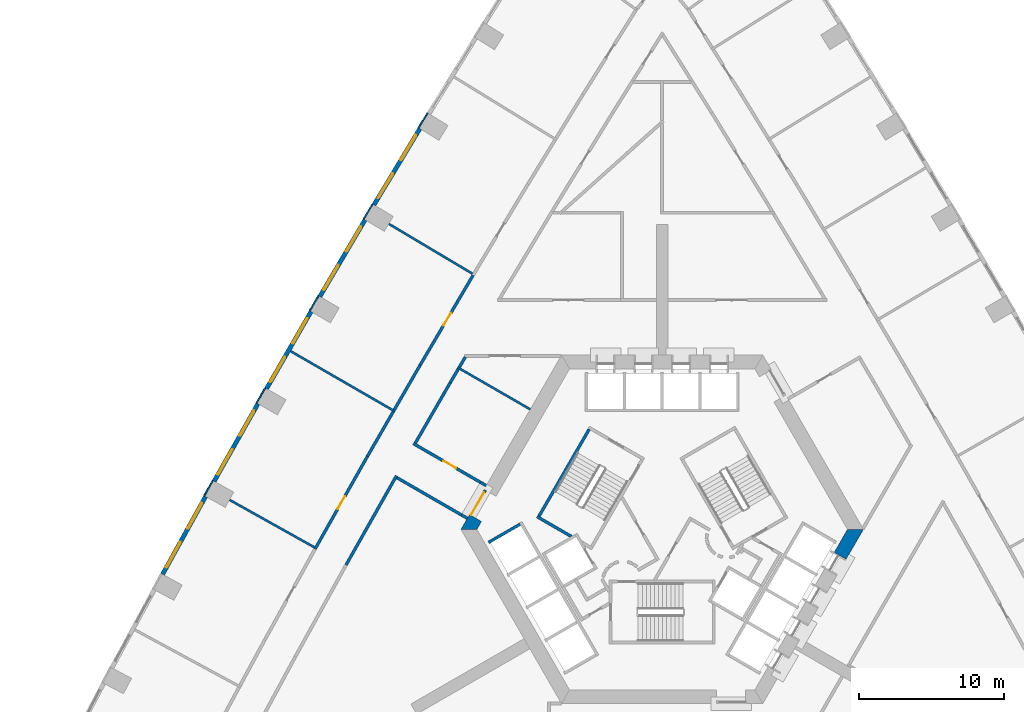
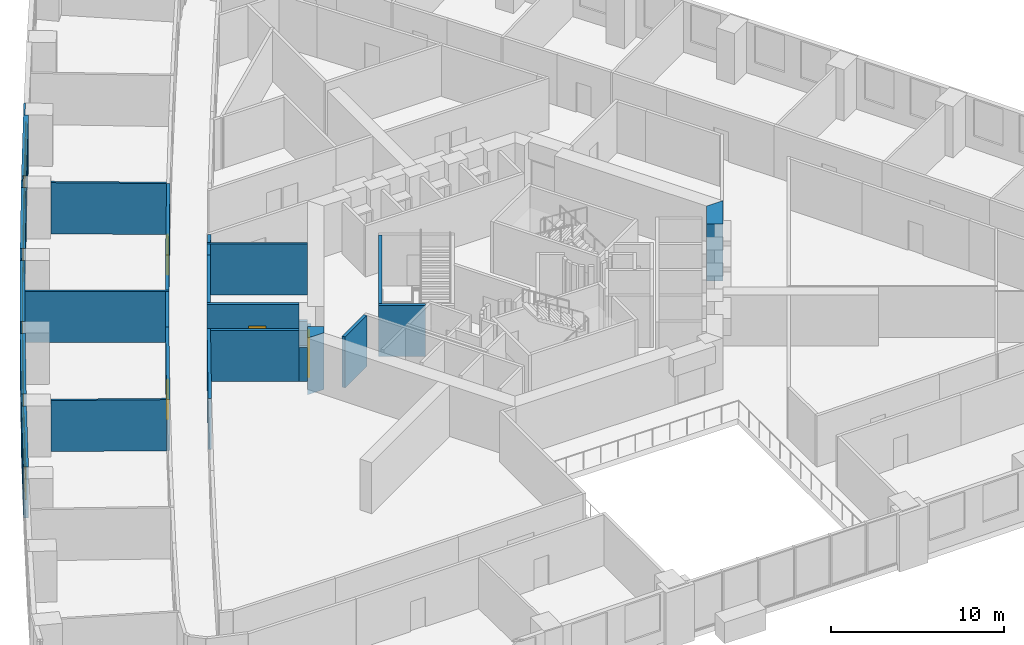
# One storey, part 7 of 15: 32 walls, 10 windows, 4 doors, 14 openings.
"""IFC4 building model written with IfcOpenShell, lengths in metres."""

from ifc_helpers import new_model, si_unit, direction, frame, frame_2d, origin, place, context, subcontext, project, spatial, polyline, rectangle, outline, extrude, material, layer, layer_set, type_object, element, fill, save


model = new_model("IFC4")

# Units and contexts
model_context = context("Model", 3, precision=1e-05, world=origin(), true_north=direction((0.0, 1.0)))
body_context = subcontext(model_context, "Body", "Model", "MODEL_VIEW")
ifc_project = project(units=[si_unit("LENGTHUNIT", "METRE"), si_unit("AREAUNIT", "SQUARE_METRE"), si_unit("VOLUMEUNIT", "CUBIC_METRE"), si_unit("PLANEANGLEUNIT", "RADIAN"), si_unit("MASSUNIT", "GRAM", prefix="KILO")], contexts=[model_context])

# Site, building, storey
site_placement = place(None, origin())
site = spatial("IfcSite", under=ifc_project, at=site_placement, CompositionType="ELEMENT")
building_placement = place(site_placement, origin())
building = spatial("IfcBuilding", under=site, at=building_placement, Name="Entoto Arch Interchange Tower", CompositionType="ELEMENT")
storey_placement = place(building_placement, frame((0.0, 0.0, 77.0)))
storey = spatial("IfcBuildingStorey", under=building, at=storey_placement, Name="L16", CompositionType="ELEMENT", Elevation=77.0)

# Wall, opening, door
ifc_material_1 = material(Name="Reinforced concrete C40/50", Category="concrete")
ifc_layer_1 = layer(ifc_material_1, 0.199951171875)
ifc_layer_set_1 = layer_set([ifc_layer_1], Name="Reinforced concrete C40/50")
wall_type_1 = type_object("IfcWallType", Name="CORE GAP INFILL WALL", PredefinedType="PARTITIONING", material=ifc_layer_set_1)
wall_1_placement = place(storey_placement, frame((-12.179931640625, 5.201904296875, 0.0), z_axis=(0.0, 0.0, 1.0), x_axis=(-0.50002537861, -0.866010750942, 0.0)))
wall_1 = element("IfcWall", 1, at=wall_1_placement, inside=storey, type_object=wall_type_1, Name="wall:L16:gap3", PredefinedType="PARTITIONING", context=body_context, shape_type="SweptSolid", body=[
    extrude(rectangle(XDim=2.0, YDim=0.199951171875, at=frame_2d((1.0, 0.0))), origin(), (0.0, 0.0, 1.0), 2.39990234375),
])
opening_1_placement = place(wall_1_placement, frame((0.18994140625, 0.0, 0.0)))
opening_1 = element("IfcOpeningElement", 2, at=opening_1_placement, cuts=wall_1, Name="Opening L16-D93", PredefinedType="OPENING", context=body_context, shape_type="SweptSolid", body=[
    extrude(rectangle(XDim=1.800048828125, YDim=2.10009765625, at=frame_2d((0.89990234375, 1.050048828125))), frame((0.0, 0.10986328125, 0.0), z_axis=(0.0, -1.0, 0.0), x_axis=(1.0, 0.0, 0.0)), (0.0, 0.0, 1.0), 0.219970703125),
])
ifc_material_2 = material(Name="Fire-rated Steel S235 door and frame", Category="steel")
door_type_1 = type_object("IfcDoorType", Name="DOOR FD-18 1800x2100", OperationType="DOUBLE_DOOR_SINGLE_SWING", PredefinedType="DOOR", material=ifc_material_2)
door_1_placement = place(opening_1_placement, origin())
door_1 = element("IfcDoor", 3, at=door_1_placement, inside=storey, type_object=door_type_1, Name="door:L16:gap3", OperationType="DOUBLE_DOOR_SINGLE_SWING", OverallHeight=2.10009765625, OverallWidth=1.800048828125, PredefinedType="DOOR", context=body_context, shape_type="SweptSolid", body=[
    extrude(rectangle(XDim=1.800048828125, YDim=2.10009765625, at=frame_2d((0.89990234375, 1.050048828125))), frame((0.0, 0.02490234375, 0.0), z_axis=(0.0, -1.0, 0.0), x_axis=(1.0, 0.0, 0.0)), (0.0, 0.0, 1.0), 0.050048828125),
])
fill(opening_1, door_1)

# Walls
ifc_material_3 = material(Name="Concrete C60/75", Category="concrete")
ifc_layer_2 = layer(ifc_material_3, 0.949951171875)
ifc_layer_set_2 = layer_set([ifc_layer_2], Name="Concrete C60/75")
wall_type_2 = type_object("IfcWallType", Name="Core wall 950 C60/75", PredefinedType="SHEAR", material=ifc_layer_set_2)
wall_2_placement = place(storey_placement, frame((0.0, 0.0, -0.39990234375)))
element("IfcWall", 4, at=wall_2_placement, inside=storey, type_object=wall_type_2, Name="Core wall NW L16", PredefinedType="SHEAR", context=body_context, shape_type="SweptSolid", body=[
    extrude(outline(polyline([(-12.444091796875, 3.044921875), (-13.26708984375, 3.52001953125), (-13.85595703125, 2.5), (-12.759033203125, 2.5), (-12.444091796875, 3.044921875)])), origin(), (0.0, 0.0, 1.0), 4.0),
])
wall_3_placement = place(storey_placement, frame((0.0, 0.0, -0.39990234375)))
element("IfcWall", 5, at=wall_3_placement, inside=storey, type_object=wall_type_2, Name="Core wall SE L16", PredefinedType="SHEAR", context=body_context, shape_type="SweptSolid", body=[
    extrude(outline(polyline([(11.843994140625, 0.9150390625), (12.6669921875, 0.43994140625), (13.85595703125, 2.5), (12.759033203125, 2.5), (11.843994140625, 0.9150390625)])), origin(), (0.0, 0.0, 1.0), 4.0),
])
ifc_material_4 = material(Name="Concrete C40/50", Category="concrete")
ifc_layer_3 = layer(ifc_material_4, 0.199951171875)
ifc_layer_set_3 = layer_set([ifc_layer_3], Name="Concrete C40/50")
wall_type_3 = type_object("IfcWallType", Name="LIFT SHAFT WALL 200", PredefinedType="STANDARD", material=ifc_layer_set_3)
wall_4_placement = place(storey_placement, frame((-9.7880859375, 2.85302734375, 0.0), z_axis=(0.0, 0.0, 1.0), x_axis=(-0.865998541277, -0.500046524342, 0.0)))
element("IfcWall", 6, at=wall_4_placement, inside=storey, type_object=wall_type_3, Name="Shaft wall SW3 cross 1", PredefinedType="STANDARD", context=body_context, shape_type="SweptSolid", body=[
    extrude(rectangle(XDim=2.499755859375, YDim=0.199951171875, at=frame_2d((1.25, 0.0))), origin(), (0.0, 0.0, 1.0), 3.60009765625),
])
ifc_material_5 = material(Name="Gypsum board partition on steel studs", Category="steel")
ifc_layer_4 = layer(ifc_material_5, 0.14990234375)
ifc_layer_set_4 = layer_set([ifc_layer_4], Name="Gypsum board partition on steel studs")
wall_type_4 = type_object("IfcWallType", Name="PARTITION 150", PredefinedType="PARTITIONING", material=ifc_layer_set_4)
wall_5_placement = place(storey_placement, frame((-14.091064453125, 13.655029296875, 0.0), z_axis=(0.0, 0.0, 1.0), x_axis=(0.866035778077, -0.499982030767, 0.0)))
element("IfcWall", 7, at=wall_5_placement, inside=storey, type_object=wall_type_4, Name="wall:L16:p090", PredefinedType="PARTITIONING", context=body_context, shape_type="SweptSolid", body=[
    extrude(rectangle(XDim=5.780517578125, YDim=0.14990234375, at=frame_2d((2.89013671875, 0.0))), origin(), (0.0, 0.0, 1.0), 3.60009765625),
])
wall_6_placement = place(storey_placement, frame((-13.072021484375, 20.110107421875, 0.0), z_axis=(0.0, 0.0, 1.0), x_axis=(-0.859168554094, 0.511692676961, 0.0)))
element("IfcWall", 8, at=wall_6_placement, inside=storey, type_object=wall_type_4, Name="wall:L16:p144", PredefinedType="PARTITIONING", context=body_context, shape_type="SweptSolid", body=[
    extrude(rectangle(XDim=6.6796875, YDim=0.14990234375, at=frame_2d((3.33984375, 0.0))), origin(), (0.0, 0.0, 1.0), 3.60009765625),
])
wall_7_placement = place(storey_placement, frame((-18.39599609375, 10.618896484375, 0.0), z_axis=(0.0, 0.0, 1.0), x_axis=(-0.865966132161, 0.500102647413, 0.0)))
element("IfcWall", 9, at=wall_7_placement, inside=storey, type_object=wall_type_4, Name="wall:L16:p145", PredefinedType="PARTITIONING", context=body_context, shape_type="SweptSolid", body=[
    extrude(rectangle(XDim=8.300537109375, YDim=0.14990234375, at=frame_2d((4.150390625, 0.0))), origin(), (0.0, 0.0, 1.0), 3.60009765625),
])
wall_8_placement = place(storey_placement, frame((-23.950927734375, 1.26611328125, 0.0), z_axis=(0.0, 0.0, 1.0), x_axis=(-0.872786908026, 0.488101437385, 0.0)))
element("IfcWall", 10, at=wall_8_placement, inside=storey, type_object=wall_type_4, Name="wall:L16:p146", PredefinedType="PARTITIONING", context=body_context, shape_type="SweptSolid", body=[
    extrude(rectangle(XDim=6.680908203125, YDim=0.14990234375, at=frame_2d((3.34033203125, 0.0))), origin(), (0.0, 0.0, 1.0), 3.60009765625),
])
ifc_layer_5 = layer(ifc_material_5, 0.199951171875)
ifc_layer_set_5 = layer_set([ifc_layer_5], Name="Gypsum board partition on steel studs")
wall_type_5 = type_object("IfcWallType", Name="PARTITION 200", PredefinedType="PARTITIONING", material=ifc_layer_set_5)
wall_9_placement = place(storey_placement, frame((-14.0419921875, 13.541015625, 0.0), z_axis=(0.0, 0.0, 1.0), x_axis=(-0.507733830316, -0.861513991501, 0.0)))
element("IfcWall", 11, at=wall_9_placement, inside=storey, type_object=wall_type_5, Name="wall:L16:p001", PredefinedType="PARTITIONING", context=body_context, shape_type="SweptSolid", body=[
    extrude(rectangle(XDim=1.091064453125, YDim=0.199951171875, at=frame_2d((0.54541015625, 0.0))), origin(), (0.0, 0.0, 1.0), 3.60009765625),
])
wall_10_placement = place(storey_placement, frame((-14.595947265625, 12.60107421875, 0.0), z_axis=(0.0, 0.0, 1.0), x_axis=(-0.500017431331, -0.866015339567, 0.0)))
element("IfcWall", 12, at=wall_10_placement, inside=storey, type_object=wall_type_5, Name="wall:L16:p002", PredefinedType="PARTITIONING", context=body_context, shape_type="SweptSolid", body=[
    extrude(rectangle(XDim=4.800048828125, YDim=0.199951171875, at=frame_2d((2.39990234375, 0.0))), origin(), (0.0, 0.0, 1.0), 3.60009765625),
])

# Wall, opening, door
wall_11_placement = place(storey_placement, frame((-17.133056640625, 8.407958984375, 0.0), z_axis=(0.0, 0.0, 1.0), x_axis=(0.866005140137, -0.500035096025, 0.0)))
wall_11 = element("IfcWall", 13, at=wall_11_placement, inside=storey, type_object=wall_type_5, Name="wall:L16:p003", PredefinedType="PARTITIONING", context=body_context, shape_type="SweptSolid", body=[
    extrude(rectangle(XDim=5.3173828125, YDim=0.199951171875, at=frame_2d((2.65869140625, 0.0))), origin(), (0.0, 0.0, 1.0), 3.60009765625),
])
opening_2_placement = place(wall_11_placement, frame((2.39599609375, 0.0, 0.0)))
opening_2 = element("IfcOpeningElement", 14, at=opening_2_placement, cuts=wall_11, Name="Opening L16-D30", PredefinedType="OPENING", context=body_context, shape_type="SweptSolid", body=[
    extrude(rectangle(XDim=1.0, YDim=2.10009765625, at=frame_2d((0.5, 1.050048828125))), frame((0.0, 0.10986328125, 0.0), z_axis=(0.0, -1.0, 0.0), x_axis=(1.0, 0.0, 0.0)), (0.0, 0.0, 1.0), 0.219970703125),
])
ifc_material_6 = material(Name="Timber door leaf in Steel S235 frame", Category="steel")
door_type_2 = type_object("IfcDoorType", Name="DOOR DS-10 1000x2100", OperationType="SINGLE_SWING_LEFT", PredefinedType="DOOR", material=ifc_material_6)
door_2_placement = place(opening_2_placement, origin())
door_2 = element("IfcDoor", 15, at=door_2_placement, inside=storey, type_object=door_type_2, Name="door:L16:30", OperationType="SINGLE_SWING_LEFT", OverallHeight=2.10009765625, OverallWidth=1.0, PredefinedType="DOOR", context=body_context, shape_type="SweptSolid", body=[
    extrude(rectangle(XDim=1.0, YDim=2.10009765625, at=frame_2d((0.5, 1.050048828125))), frame((0.0, 0.02490234375, 0.0), z_axis=(0.0, -1.0, 0.0), x_axis=(1.0, 0.0, 0.0)), (0.0, 0.0, 1.0), 0.050048828125),
])
fill(opening_2, door_2)

# Walls
wall_12_placement = place(storey_placement, frame((-13.556884765625, 14.364013671875, 0.0), z_axis=(0.0, 0.0, 1.0), x_axis=(-0.507840899418, -0.861450881292, 0.0)))
element("IfcWall", 16, at=wall_12_placement, inside=storey, type_object=wall_type_5, Name="wall:L16:p004", PredefinedType="PARTITIONING", context=body_context, shape_type="SweptSolid", body=[
    extrude(rectangle(XDim=0.8056640625, YDim=0.199951171875, at=frame_2d((0.40283203125, 0.0))), origin(), (0.0, 0.0, 1.0), 3.60009765625),
])
wall_13_placement = place(storey_placement, frame((-13.4169921875, 3.260009765625, 0.0), z_axis=(0.0, 0.0, 1.0), x_axis=(-0.865929261247, 0.500166486798, 0.0)))
element("IfcWall", 17, at=wall_13_placement, inside=storey, type_object=wall_type_5, Name="wall:L16:p029", PredefinedType="PARTITIONING", context=body_context, shape_type="SweptSolid", body=[
    extrude(rectangle(XDim=0.475830078125, YDim=0.199951171875, at=frame_2d((0.23779296875, 0.0))), origin(), (0.0, 0.0, 1.0), 2.39990234375),
])
wall_14_placement = place(storey_placement, frame((-18.294921875, 6.19189453125, 0.0), z_axis=(0.0, 0.0, 1.0), x_axis=(-0.492193980341, -0.870485545954, 0.0)))
element("IfcWall", 18, at=wall_14_placement, inside=storey, type_object=wall_type_5, Name="wall:L16:p030", PredefinedType="PARTITIONING", context=body_context, shape_type="SweptSolid", body=[
    extrude(rectangle(XDim=7.060302734375, YDim=0.199951171875, at=frame_2d((3.5302734375, 0.0))), origin(), (0.0, 0.0, 1.0), 3.60009765625),
])
wall_15_placement = place(storey_placement, frame((-18.445068359375, 10.73388671875, 0.0), z_axis=(0.0, 0.0, 1.0), x_axis=(0.499900903336, 0.866082609711, 0.0)))
element("IfcWall", 19, at=wall_15_placement, inside=storey, type_object=wall_type_5, Name="wall:L16:p064", PredefinedType="PARTITIONING", context=body_context, shape_type="SweptSolid", body=[
    extrude(rectangle(XDim=3.552978515625, YDim=0.199951171875, at=frame_2d((1.7763671875, 0.0))), origin(), (0.0, 0.0, 1.0), 3.60009765625),
])

# Wall, opening, door
wall_16_placement = place(storey_placement, frame((-16.6689453125, 13.81103515625, 0.0), z_axis=(0.0, 0.0, 1.0), x_axis=(0.507777955495, 0.861487984776, 0.0)))
wall_16 = element("IfcWall", 20, at=wall_16_placement, inside=storey, type_object=wall_type_5, Name="wall:L16:p065", PredefinedType="PARTITIONING", context=body_context, shape_type="SweptSolid", body=[
    extrude(rectangle(XDim=7.178466796875, YDim=0.199951171875, at=frame_2d((3.58935546875, 0.0))), origin(), (0.0, 0.0, 1.0), 3.60009765625),
])
opening_3_placement = place(wall_16_placement, frame((3.1640625, 0.0, 0.0)))
opening_3 = element("IfcOpeningElement", 21, at=opening_3_placement, cuts=wall_16, Name="Opening L16-D14", PredefinedType="OPENING", context=body_context, shape_type="SweptSolid", body=[
    extrude(rectangle(XDim=1.0, YDim=2.10009765625, at=frame_2d((0.5, 1.050048828125))), frame((0.0, 0.10986328125, 0.0), z_axis=(0.0, -1.0, 0.0), x_axis=(1.0, 0.0, 0.0)), (0.0, 0.0, 1.0), 0.219970703125),
])
door_3_placement = place(opening_3_placement, origin())
door_3 = element("IfcDoor", 22, at=door_3_placement, inside=storey, type_object=door_type_2, Name="door:L16:14", OperationType="SINGLE_SWING_LEFT", OverallHeight=2.10009765625, OverallWidth=1.0, PredefinedType="DOOR", context=body_context, shape_type="SweptSolid", body=[
    extrude(rectangle(XDim=1.0, YDim=2.10009765625, at=frame_2d((0.5, 1.050048828125))), frame((0.0, 0.02490234375, 0.0), z_axis=(0.0, -1.0, 0.0), x_axis=(1.0, 0.0, 0.0)), (0.0, 0.0, 1.0), 0.050048828125),
])
fill(opening_3, door_3)

wall_17_placement = place(storey_placement, frame((-23.90087890625, 1.152099609375, 0.0), z_axis=(0.0, 0.0, 1.0), x_axis=(0.492063845089, 0.870559114797, 0.0)))
wall_17 = element("IfcWall", 23, at=wall_17_placement, inside=storey, type_object=wall_type_5, Name="wall:L16:p066", PredefinedType="PARTITIONING", context=body_context, shape_type="SweptSolid", body=[
    extrude(rectangle(XDim=7.326171875, YDim=0.199951171875, at=frame_2d((3.6630859375, 0.0))), origin(), (0.0, 0.0, 1.0), 3.60009765625),
])
opening_4_placement = place(wall_17_placement, frame((3.1630859375, 0.0, 0.0)))
opening_4 = element("IfcOpeningElement", 24, at=opening_4_placement, cuts=wall_17, Name="Opening L16-D15", PredefinedType="OPENING", context=body_context, shape_type="SweptSolid", body=[
    extrude(rectangle(XDim=1.0, YDim=2.10009765625, at=frame_2d((0.5, 1.050048828125))), frame((0.0, 0.10986328125, 0.0), z_axis=(0.0, -1.0, 0.0), x_axis=(1.0, 0.0, 0.0)), (0.0, 0.0, 1.0), 0.219970703125),
])
door_4_placement = place(opening_4_placement, origin())
door_4 = element("IfcDoor", 25, at=door_4_placement, inside=storey, type_object=door_type_2, Name="door:L16:15", OperationType="SINGLE_SWING_LEFT", OverallHeight=2.10009765625, OverallWidth=1.0, PredefinedType="DOOR", context=body_context, shape_type="SweptSolid", body=[
    extrude(rectangle(XDim=1.0, YDim=2.10009765625, at=frame_2d((0.5, 1.050048828125))), frame((0.0, 0.02490234375, 0.0), z_axis=(0.0, -1.0, 0.0), x_axis=(1.0, 0.0, 0.0)), (0.0, 0.0, 1.0), 0.050048828125),
])
fill(opening_4, door_4)

# Walls
wall_18_placement = place(storey_placement, frame((-20.2958984375, 7.530029296875, 0.0), z_axis=(0.0, 0.0, 1.0), x_axis=(0.500236350306, 0.865888903863, 0.0)))
element("IfcWall", 26, at=wall_18_placement, inside=storey, type_object=wall_type_5, Name="wall:L16:p067", PredefinedType="PARTITIONING", context=body_context, shape_type="SweptSolid", body=[
    extrude(rectangle(XDim=3.550048828125, YDim=0.199951171875, at=frame_2d((1.77490234375, 0.0))), origin(), (0.0, 0.0, 1.0), 3.60009765625),
])
wall_19_placement = place(storey_placement, frame((-12.528076171875, 5.7490234375, 0.0), z_axis=(0.0, 0.0, 1.0), x_axis=(0.866305462299, -0.499514610387, 0.0)))
element("IfcWall", 27, at=wall_19_placement, inside=storey, type_object=wall_type_5, Name="wall:L16:p003", PredefinedType="PARTITIONING", context=body_context, shape_type="SweptSolid", body=[
    extrude(rectangle(XDim=0.474609375, YDim=0.199951171875, at=frame_2d((0.2373046875, 0.0))), origin(), (0.0, 0.0, 1.0), 2.39990234375),
])
wall_20_placement = place(storey_placement, frame((-13.8291015625, 3.498046875, 0.0), z_axis=(0.0, 0.0, 1.0), x_axis=(-0.866040105854, 0.499974534403, 0.0)))
element("IfcWall", 28, at=wall_20_placement, inside=storey, type_object=wall_type_5, Name="wall:L16:p029", PredefinedType="PARTITIONING", context=body_context, shape_type="SweptSolid", body=[
    extrude(rectangle(XDim=5.114013671875, YDim=0.199951171875, at=frame_2d((2.55712890625, 0.0))), origin(), (0.0, 0.0, 1.0), 3.60009765625),
])
ifc_layer_6 = layer(ifc_material_4, 0.199951171875)
ifc_layer_set_6 = layer_set([ifc_layer_6], Name="Concrete C40/50")
wall_type_6 = type_object("IfcWallType", Name="STAIR ENCLOSURE WALL 200", PredefinedType="STANDARD", material=ifc_layer_set_6)
wall_21_placement = place(storey_placement, frame((-6.25, 2.010009765625, 0.0), z_axis=(0.0, 0.0, 1.0), x_axis=(-0.86611865017, 0.499838457731, 0.0)))
element("IfcWall", 29, at=wall_21_placement, inside=storey, type_object=wall_type_6, Name="Stair wall ST-NW far", PredefinedType="STANDARD", context=body_context, shape_type="SweptSolid", body=[
    extrude(rectangle(XDim=2.73291015625, YDim=0.199951171875, at=frame_2d((1.366455078125, 0.0))), origin(), (0.0, 0.0, 1.0), 3.60009765625),
])
wall_22_placement = place(storey_placement, frame((-5.030029296875, 9.387939453125, 0.0), z_axis=(0.0, 0.0, 1.0), x_axis=(-0.499978703459, -0.866037698999, 0.0)))
element("IfcWall", 30, at=wall_22_placement, inside=storey, type_object=wall_type_6, Name="Stair wall ST-NW back", PredefinedType="STANDARD", context=body_context, shape_type="SweptSolid", body=[
    extrude(rectangle(XDim=6.900146484375, YDim=0.199951171875, at=frame_2d((3.4501953125, 0.0))), origin(), (0.0, 0.0, 1.0), 3.60009765625),
])

# Wall, openings, windows
ifc_material_7 = material(Name="Welded tuff (ignimbrite) cladding, warm buff", Category="masonry")
ifc_layer_7 = layer(ifc_material_7, 0.300048828125)
ifc_layer_set_7 = layer_set([ifc_layer_7], Name="Welded tuff (ignimbrite) cladding, warm buff")
wall_type_7 = type_object("IfcWallType", Name="STONE INFILL WALL 300", PredefinedType="STANDARD", material=ifc_layer_set_7)
wall_23_placement = place(storey_placement, frame((-16.68994140625, 30.096923828125, 0.0), z_axis=(0.0, 0.0, 1.0), x_axis=(-0.515690089348, -0.856775193238, 0.0)))
wall_23 = element("IfcWall", 31, at=wall_23_placement, inside=storey, type_object=wall_type_7, Name="Facade wall NW-03 L16", PredefinedType="STANDARD", context=body_context, shape_type="SweptSolid", body=[
    extrude(rectangle(XDim=6.1298828125, YDim=0.300048828125, at=frame_2d((3.06494140625, 0.0))), origin(), (0.0, 0.0, 1.0), 3.60009765625),
])
opening_5_placement = place(wall_23_placement, frame((0.531982421875, 0.0, 0.89990234375)))
opening_5 = element("IfcOpeningElement", 32, at=opening_5_placement, cuts=wall_23, Name="Opening WO-C", PredefinedType="OPENING", context=body_context, shape_type="SweptSolid", body=[
    extrude(rectangle(XDim=2.0, YDim=2.60009765625, at=frame_2d((1.0, 1.300048828125))), frame((0.0, 0.16015625, 0.0), z_axis=(0.0, -1.0, 0.0), x_axis=(1.0, 0.0, 0.0)), (0.0, 0.0, 1.0), 0.320068359375),
])
opening_6_placement = place(wall_23_placement, frame((3.596923828125, 0.0, 0.89990234375)))
opening_6 = element("IfcOpeningElement", 33, at=opening_6_placement, cuts=wall_23, Name="Opening WO-C", PredefinedType="OPENING", context=body_context, shape_type="SweptSolid", body=[
    extrude(rectangle(XDim=2.0, YDim=2.60009765625, at=frame_2d((1.0, 1.300048828125))), frame((0.0, 0.16015625, 0.0), z_axis=(0.0, -1.0, 0.0), x_axis=(1.0, 0.0, 0.0)), (0.0, 0.0, 1.0), 0.320068359375),
])
ifc_material_8 = material(Name="Clear glass, low-e double glazed", Category="glass")
window_type = type_object("IfcWindowType", Name="WINDOW WO-C 2000x2600", PartitioningType="DOUBLE_PANEL_VERTICAL", PredefinedType="WINDOW", material=ifc_material_8)
window_1_placement = place(opening_5_placement, origin())
window_1 = element("IfcWindow", 34, at=window_1_placement, inside=storey, type_object=window_type, Name="Window WO-C NW-03 L16", OverallHeight=2.60009765625, OverallWidth=2.0, PartitioningType="SINGLE_PANEL", PredefinedType="WINDOW", context=body_context, shape_type="SweptSolid", body=[
    extrude(rectangle(XDim=2.0, YDim=2.60009765625, at=frame_2d((1.0, 1.300048828125))), frame((0.0, 0.030029296875, 0.0), z_axis=(0.0, -1.0, 0.0), x_axis=(1.0, 0.0, 0.0)), (0.0, 0.0, 1.0), 0.06005859375),
])
fill(opening_5, window_1)
window_2_placement = place(opening_6_placement, origin())
window_2 = element("IfcWindow", 35, at=window_2_placement, inside=storey, type_object=window_type, Name="Window WO-C NW-03 L16", OverallHeight=2.60009765625, OverallWidth=2.0, PartitioningType="SINGLE_PANEL", PredefinedType="WINDOW", context=body_context, shape_type="SweptSolid", body=[
    extrude(rectangle(XDim=2.0, YDim=2.60009765625, at=frame_2d((1.0, 1.300048828125))), frame((0.0, 0.030029296875, 0.0), z_axis=(0.0, -1.0, 0.0), x_axis=(1.0, 0.0, 0.0)), (0.0, 0.0, 1.0), 0.06005859375),
])
fill(opening_6, window_2)

wall_24_placement = place(storey_placement, frame((-20.464111328125, 23.81591796875, 0.0), z_axis=(0.0, 0.0, 1.0), x_axis=(-0.507716058644, -0.861524465001, 0.0)))
wall_24 = element("IfcWall", 36, at=wall_24_placement, inside=storey, type_object=wall_type_7, Name="Facade wall NW-04 L16", PredefinedType="STANDARD", context=body_context, shape_type="SweptSolid", body=[
    extrude(rectangle(XDim=6.130859375, YDim=0.300048828125, at=frame_2d((3.0654296875, 0.0))), origin(), (0.0, 0.0, 1.0), 3.60009765625),
])
opening_7_placement = place(wall_24_placement, frame((0.532958984375, 0.0, 0.89990234375)))
opening_7 = element("IfcOpeningElement", 37, at=opening_7_placement, cuts=wall_24, Name="Opening WO-C", PredefinedType="OPENING", context=body_context, shape_type="SweptSolid", body=[
    extrude(rectangle(XDim=2.0, YDim=2.60009765625, at=frame_2d((1.0, 1.300048828125))), frame((0.0, 0.16015625, 0.0), z_axis=(0.0, -1.0, 0.0), x_axis=(1.0, 0.0, 0.0)), (0.0, 0.0, 1.0), 0.320068359375),
])
opening_8_placement = place(wall_24_placement, frame((3.597900390625, 0.0, 0.89990234375)))
opening_8 = element("IfcOpeningElement", 38, at=opening_8_placement, cuts=wall_24, Name="Opening WO-C", PredefinedType="OPENING", context=body_context, shape_type="SweptSolid", body=[
    extrude(rectangle(XDim=2.0, YDim=2.60009765625, at=frame_2d((1.0, 1.300048828125))), frame((0.0, 0.16015625, 0.0), z_axis=(0.0, -1.0, 0.0), x_axis=(1.0, 0.0, 0.0)), (0.0, 0.0, 1.0), 0.320068359375),
])
window_3_placement = place(opening_7_placement, origin())
window_3 = element("IfcWindow", 39, at=window_3_placement, inside=storey, type_object=window_type, Name="Window WO-C NW-04 L16", OverallHeight=2.60009765625, OverallWidth=2.0, PartitioningType="SINGLE_PANEL", PredefinedType="WINDOW", context=body_context, shape_type="SweptSolid", body=[
    extrude(rectangle(XDim=2.0, YDim=2.60009765625, at=frame_2d((1.0, 1.300048828125))), frame((0.0, 0.030029296875, 0.0), z_axis=(0.0, -1.0, 0.0), x_axis=(1.0, 0.0, 0.0)), (0.0, 0.0, 1.0), 0.06005859375),
])
fill(opening_7, window_3)
window_4_placement = place(opening_8_placement, origin())
window_4 = element("IfcWindow", 40, at=window_4_placement, inside=storey, type_object=window_type, Name="Window WO-C NW-04 L16", OverallHeight=2.60009765625, OverallWidth=2.0, PartitioningType="SINGLE_PANEL", PredefinedType="WINDOW", context=body_context, shape_type="SweptSolid", body=[
    extrude(rectangle(XDim=2.0, YDim=2.60009765625, at=frame_2d((1.0, 1.300048828125))), frame((0.0, 0.030029296875, 0.0), z_axis=(0.0, -1.0, 0.0), x_axis=(1.0, 0.0, 0.0)), (0.0, 0.0, 1.0), 0.06005859375),
])
fill(opening_8, window_4)

wall_25_placement = place(storey_placement, frame((-24.180908203125, 17.5, 0.0), z_axis=(0.0, 0.0, 1.0), x_axis=(-0.499998239139, -0.866026420416, 0.0)))
wall_25 = element("IfcWall", 41, at=wall_25_placement, inside=storey, type_object=wall_type_7, Name="Facade wall NW-05 L16", PredefinedType="STANDARD", context=body_context, shape_type="SweptSolid", body=[
    extrude(rectangle(XDim=6.13037109375, YDim=0.300048828125, at=frame_2d((3.065185546875, 0.0))), origin(), (0.0, 0.0, 1.0), 3.60009765625),
])
opening_9_placement = place(wall_25_placement, frame((0.532958984375, 0.0, 0.89990234375)))
opening_9 = element("IfcOpeningElement", 42, at=opening_9_placement, cuts=wall_25, Name="Opening WO-C", PredefinedType="OPENING", context=body_context, shape_type="SweptSolid", body=[
    extrude(rectangle(XDim=2.0, YDim=2.60009765625, at=frame_2d((1.0, 1.300048828125))), frame((0.0, 0.16015625, 0.0), z_axis=(0.0, -1.0, 0.0), x_axis=(1.0, 0.0, 0.0)), (0.0, 0.0, 1.0), 0.320068359375),
])
opening_10_placement = place(wall_25_placement, frame((3.597900390625, 0.0, 0.89990234375)))
opening_10 = element("IfcOpeningElement", 43, at=opening_10_placement, cuts=wall_25, Name="Opening WO-C", PredefinedType="OPENING", context=body_context, shape_type="SweptSolid", body=[
    extrude(rectangle(XDim=2.0, YDim=2.60009765625, at=frame_2d((1.0, 1.300048828125))), frame((0.0, 0.16015625, 0.0), z_axis=(0.0, -1.0, 0.0), x_axis=(1.0, 0.0, 0.0)), (0.0, 0.0, 1.0), 0.320068359375),
])
window_5_placement = place(opening_9_placement, origin())
window_5 = element("IfcWindow", 44, at=window_5_placement, inside=storey, type_object=window_type, Name="Window WO-C NW-05 L16", OverallHeight=2.60009765625, OverallWidth=2.0, PartitioningType="SINGLE_PANEL", PredefinedType="WINDOW", context=body_context, shape_type="SweptSolid", body=[
    extrude(rectangle(XDim=2.0, YDim=2.60009765625, at=frame_2d((1.0, 1.300048828125))), frame((0.0, 0.030029296875, 0.0), z_axis=(0.0, -1.0, 0.0), x_axis=(1.0, 0.0, 0.0)), (0.0, 0.0, 1.0), 0.06005859375),
])
fill(opening_9, window_5)
window_6_placement = place(opening_10_placement, origin())
window_6 = element("IfcWindow", 45, at=window_6_placement, inside=storey, type_object=window_type, Name="Window WO-C NW-05 L16", OverallHeight=2.60009765625, OverallWidth=2.0, PartitioningType="SINGLE_PANEL", PredefinedType="WINDOW", context=body_context, shape_type="SweptSolid", body=[
    extrude(rectangle(XDim=2.0, YDim=2.60009765625, at=frame_2d((1.0, 1.300048828125))), frame((0.0, 0.030029296875, 0.0), z_axis=(0.0, -1.0, 0.0), x_axis=(1.0, 0.0, 0.0)), (0.0, 0.0, 1.0), 0.06005859375),
])
fill(opening_10, window_6)

wall_26_placement = place(storey_placement, frame((-27.840087890625, 11.15087890625, 0.0), z_axis=(0.0, 0.0, 1.0), x_axis=(-0.492097935349, -0.870539845168, 0.0)))
wall_26 = element("IfcWall", 46, at=wall_26_placement, inside=storey, type_object=wall_type_7, Name="Facade wall NW-06 L16", PredefinedType="STANDARD", context=body_context, shape_type="SweptSolid", body=[
    extrude(rectangle(XDim=6.130615234375, YDim=0.300048828125, at=frame_2d((3.0654296875, 0.0))), origin(), (0.0, 0.0, 1.0), 3.60009765625),
])
opening_11_placement = place(wall_26_placement, frame((0.532958984375, 0.0, 0.89990234375)))
opening_11 = element("IfcOpeningElement", 47, at=opening_11_placement, cuts=wall_26, Name="Opening WO-C", PredefinedType="OPENING", context=body_context, shape_type="SweptSolid", body=[
    extrude(rectangle(XDim=2.0, YDim=2.60009765625, at=frame_2d((1.0, 1.300048828125))), frame((0.0, 0.16015625, 0.0), z_axis=(0.0, -1.0, 0.0), x_axis=(1.0, 0.0, 0.0)), (0.0, 0.0, 1.0), 0.320068359375),
])
opening_12_placement = place(wall_26_placement, frame((3.597900390625, 0.0, 0.89990234375)))
opening_12 = element("IfcOpeningElement", 48, at=opening_12_placement, cuts=wall_26, Name="Opening WO-C", PredefinedType="OPENING", context=body_context, shape_type="SweptSolid", body=[
    extrude(rectangle(XDim=2.0, YDim=2.60009765625, at=frame_2d((1.0, 1.300048828125))), frame((0.0, 0.16015625, 0.0), z_axis=(0.0, -1.0, 0.0), x_axis=(1.0, 0.0, 0.0)), (0.0, 0.0, 1.0), 0.320068359375),
])
window_7_placement = place(opening_11_placement, origin())
window_7 = element("IfcWindow", 49, at=window_7_placement, inside=storey, type_object=window_type, Name="Window WO-C NW-06 L16", OverallHeight=2.60009765625, OverallWidth=2.0, PartitioningType="SINGLE_PANEL", PredefinedType="WINDOW", context=body_context, shape_type="SweptSolid", body=[
    extrude(rectangle(XDim=2.0, YDim=2.60009765625, at=frame_2d((1.0, 1.300048828125))), frame((0.0, 0.030029296875, 0.0), z_axis=(0.0, -1.0, 0.0), x_axis=(1.0, 0.0, 0.0)), (0.0, 0.0, 1.0), 0.06005859375),
])
fill(opening_11, window_7)
window_8_placement = place(opening_12_placement, origin())
window_8 = element("IfcWindow", 50, at=window_8_placement, inside=storey, type_object=window_type, Name="Window WO-C NW-06 L16", OverallHeight=2.60009765625, OverallWidth=2.0, PartitioningType="SINGLE_PANEL", PredefinedType="WINDOW", context=body_context, shape_type="SweptSolid", body=[
    extrude(rectangle(XDim=2.0, YDim=2.60009765625, at=frame_2d((1.0, 1.300048828125))), frame((0.0, 0.030029296875, 0.0), z_axis=(0.0, -1.0, 0.0), x_axis=(1.0, 0.0, 0.0)), (0.0, 0.0, 1.0), 0.06005859375),
])
fill(opening_12, window_8)

wall_27_placement = place(storey_placement, frame((-31.44189453125, 4.76904296875, 0.0), z_axis=(0.0, 0.0, 1.0), x_axis=(-0.484025698618, -0.875053782963, 0.0)))
wall_27 = element("IfcWall", 51, at=wall_27_placement, inside=storey, type_object=wall_type_7, Name="Facade wall NW-07 L16", PredefinedType="STANDARD", context=body_context, shape_type="SweptSolid", body=[
    extrude(rectangle(XDim=6.1298828125, YDim=0.300048828125, at=frame_2d((3.06494140625, 0.0))), origin(), (0.0, 0.0, 1.0), 3.60009765625),
])
opening_13_placement = place(wall_27_placement, frame((0.531982421875, 0.0, 0.89990234375)))
opening_13 = element("IfcOpeningElement", 52, at=opening_13_placement, cuts=wall_27, Name="Opening WO-C", PredefinedType="OPENING", context=body_context, shape_type="SweptSolid", body=[
    extrude(rectangle(XDim=2.0, YDim=2.60009765625, at=frame_2d((1.0, 1.300048828125))), frame((0.0, 0.16015625, 0.0), z_axis=(0.0, -1.0, 0.0), x_axis=(1.0, 0.0, 0.0)), (0.0, 0.0, 1.0), 0.320068359375),
])
opening_14_placement = place(wall_27_placement, frame((3.596923828125, 0.0, 0.89990234375)))
opening_14 = element("IfcOpeningElement", 53, at=opening_14_placement, cuts=wall_27, Name="Opening WO-C", PredefinedType="OPENING", context=body_context, shape_type="SweptSolid", body=[
    extrude(rectangle(XDim=2.0, YDim=2.60009765625, at=frame_2d((1.0, 1.300048828125))), frame((0.0, 0.16015625, 0.0), z_axis=(0.0, -1.0, 0.0), x_axis=(1.0, 0.0, 0.0)), (0.0, 0.0, 1.0), 0.320068359375),
])
window_9_placement = place(opening_13_placement, origin())
window_9 = element("IfcWindow", 54, at=window_9_placement, inside=storey, type_object=window_type, Name="Window WO-C NW-07 L16", OverallHeight=2.60009765625, OverallWidth=2.0, PartitioningType="SINGLE_PANEL", PredefinedType="WINDOW", context=body_context, shape_type="SweptSolid", body=[
    extrude(rectangle(XDim=2.0, YDim=2.60009765625, at=frame_2d((1.0, 1.300048828125))), frame((0.0, 0.030029296875, 0.0), z_axis=(0.0, -1.0, 0.0), x_axis=(1.0, 0.0, 0.0)), (0.0, 0.0, 1.0), 0.06005859375),
])
fill(opening_13, window_9)
window_10_placement = place(opening_14_placement, origin())
window_10 = element("IfcWindow", 55, at=window_10_placement, inside=storey, type_object=window_type, Name="Window WO-C NW-07 L16", OverallHeight=2.60009765625, OverallWidth=2.0, PartitioningType="SINGLE_PANEL", PredefinedType="WINDOW", context=body_context, shape_type="SweptSolid", body=[
    extrude(rectangle(XDim=2.0, YDim=2.60009765625, at=frame_2d((1.0, 1.300048828125))), frame((0.0, 0.030029296875, 0.0), z_axis=(0.0, -1.0, 0.0), x_axis=(1.0, 0.0, 0.0)), (0.0, 0.0, 1.0), 0.06005859375),
])
fill(opening_14, window_10)

# Walls
ifc_layer_8 = layer(ifc_material_7, 0.10009765625)
ifc_layer_set_8 = layer_set([ifc_layer_8], Name="Welded tuff (ignimbrite) cladding, warm buff")
wall_type_8 = type_object("IfcWallType", Name="STONE PIER CLADDING 100", PredefinedType="STANDARD", material=ifc_layer_set_8)
wall_28_placement = place(storey_placement, frame((-16.153076171875, 31.174072265625, 0.0), z_axis=(0.0, 0.0, 1.0), x_axis=(-0.521507599072, -0.853246637327, 0.0)))
element("IfcWall", 56, at=wall_28_placement, inside=storey, type_object=wall_type_8, Name="Stone pier NW03 L16", PredefinedType="STANDARD", context=body_context, shape_type="SweptSolid", body=[
    extrude(rectangle(XDim=1.200439453125, YDim=0.10009765625, at=frame_2d((0.60009765625, 0.0))), origin(), (0.0, 0.0, 1.0), 3.60009765625),
])
wall_29_placement = place(storey_placement, frame((-19.93798828125, 24.89794921875, 0.0), z_axis=(0.0, 0.0, 1.0), x_axis=(-0.513238760752, -0.858245870635, 0.0)))
element("IfcWall", 57, at=wall_29_placement, inside=storey, type_object=wall_type_8, Name="Stone pier NW04 L16", PredefinedType="STANDARD", context=body_context, shape_type="SweptSolid", body=[
    extrude(rectangle(XDim=1.2001953125, YDim=0.10009765625, at=frame_2d((0.60009765625, 0.0))), origin(), (0.0, 0.0, 1.0), 3.60009765625),
])
wall_30_placement = place(storey_placement, frame((-23.6650390625, 18.5869140625, 0.0), z_axis=(0.0, 0.0, 1.0), x_axis=(-0.504313844903, -0.863520437418, 0.0)))
element("IfcWall", 58, at=wall_30_placement, inside=storey, type_object=wall_type_8, Name="Stone pier NW05 L16", PredefinedType="STANDARD", context=body_context, shape_type="SweptSolid", body=[
    extrude(rectangle(XDim=1.19970703125, YDim=0.10009765625, at=frame_2d((0.599853515625, 0.0))), origin(), (0.0, 0.0, 1.0), 3.60009765625),
])
wall_31_placement = place(storey_placement, frame((-27.3349609375, 12.242919921875, 0.0), z_axis=(0.0, 0.0, 1.0), x_axis=(-0.495854054996, -0.868405870629, 0.0)))
element("IfcWall", 59, at=wall_31_placement, inside=storey, type_object=wall_type_8, Name="Stone pier NW06 L16", PredefinedType="STANDARD", context=body_context, shape_type="SweptSolid", body=[
    extrude(rectangle(XDim=1.199951171875, YDim=0.10009765625, at=frame_2d((0.60009765625, 0.0))), origin(), (0.0, 0.0, 1.0), 3.60009765625),
])
wall_32_placement = place(storey_placement, frame((-30.947021484375, 5.865966796875, 0.0), z_axis=(0.0, 0.0, 1.0), x_axis=(-0.486817526853, -0.873503689488, 0.0)))
element("IfcWall", 60, at=wall_32_placement, inside=storey, type_object=wall_type_8, Name="Stone pier NW07 L16", PredefinedType="STANDARD", context=body_context, shape_type="SweptSolid", body=[
    extrude(rectangle(XDim=1.19970703125, YDim=0.10009765625, at=frame_2d((0.599853515625, 0.0))), origin(), (0.0, 0.0, 1.0), 3.60009765625),
])

save(model, "model.ifc")
